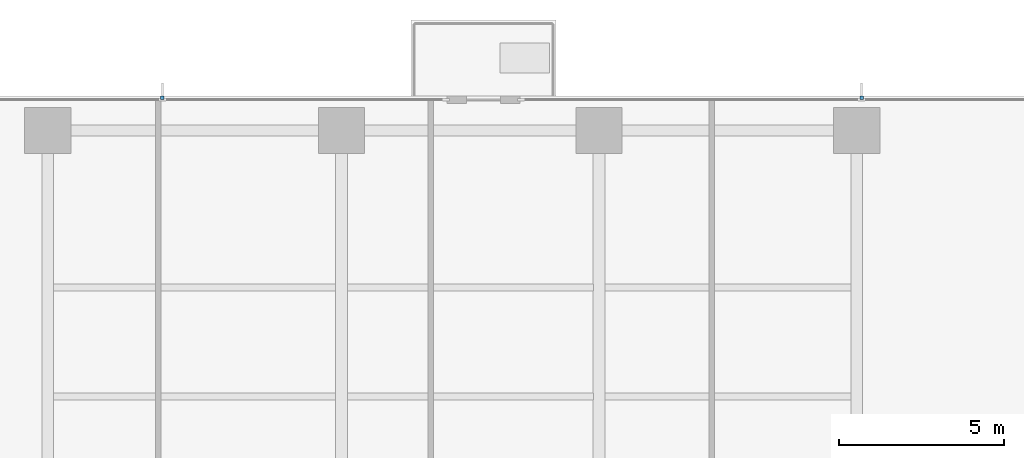
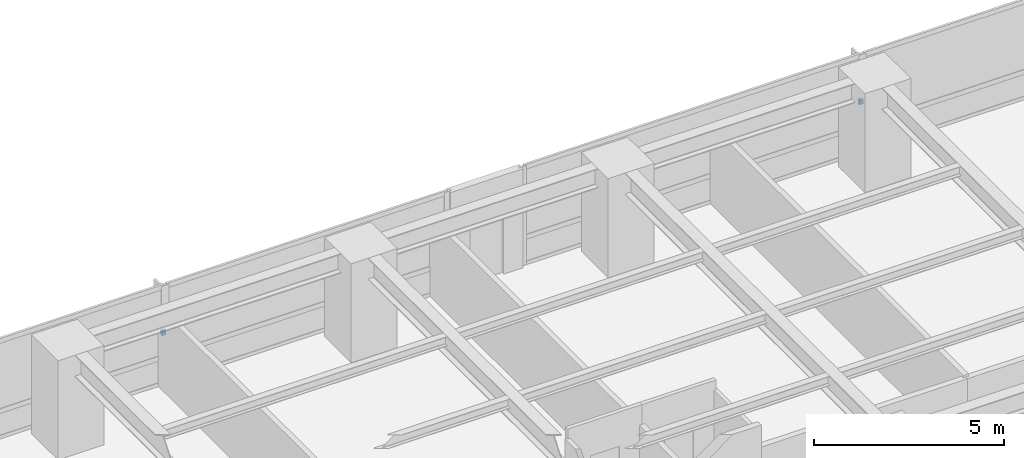
# One storey, part 14 of 16: 2 discrete accessories.
"""IFC4 building model written with IfcOpenShell, lengths in metres."""

import ifcopenshell
import ifcopenshell.guid

model = None  # the IFC model being written
_history = None  # IfcOwnerHistory: only IFC2X3 demands one
_inside = {}  # id of a spatial element -> (the spatial element, [elements in it])
_under = {}  # id of a project, library or spatial element -> (it, [spatial elements below it])
_declared = {}  # id of a project -> (the project, [libraries it declares])
_typed = {}  # id of a type object -> (the type object, [elements of that type])
_made_of = {}  # id of a material, layer set ... -> (it, [elements and type objects made of it])


def new_model(schema):
    """Start an empty IFC model of exactly this schema.

    Asked for "IFC4X3", IfcOpenShell would pick the latest addendum, in which some entities
    have other attributes; the version numbers below select the first issue.
    IFC2X3 requires an IfcOwnerHistory on every rooted entity: one is made here for all.
    """
    global model, _history
    if schema == "IFC4X3":
        model = ifcopenshell.file(schema_version=(4, 3, 0, 0))
    else:
        model = ifcopenshell.file(schema=schema)
    _inside.clear()
    _under.clear()
    _declared.clear()
    _typed.clear()
    _made_of.clear()
    _history = None
    if model.schema == "IFC2X3":
        org = make("IfcOrganization", Name="unknown")
        user = make(
            "IfcPersonAndOrganization",
            ThePerson=make("IfcPerson", FamilyName="unknown"),
            TheOrganization=org,
        )
        app = make(
            "IfcApplication",
            ApplicationDeveloper=org,
            Version="unknown",
            ApplicationFullName="unknown",
            ApplicationIdentifier="unknown",
        )
        _history = make(
            "IfcOwnerHistory",
            OwningUser=user,
            OwningApplication=app,
            ChangeAction="ADDED",
            CreationDate=0,
        )
    return model


def make(cls, **values):
    """One entity of the class cls with the attributes given. An attribute that is None is left unset."""
    return model.create_entity(
        cls, **{name: value for name, value in values.items() if value is not None}
    )


def rooted(cls, **values):
    """An entity with a GlobalId (a new one), such as an element, a storey or a relation."""
    return make(cls, GlobalId=ifcopenshell.guid.new(), OwnerHistory=_history, **values)


def si_unit(unit_type, name, prefix=None):
    """IfcSIUnit, for example si_unit("LENGTHUNIT", "METRE", prefix="MILLI")."""
    return make("IfcSIUnit", UnitType=unit_type, Prefix=prefix, Name=name)


def assignment(units):
    """IfcUnitAssignment: the units of a project."""
    return None if units is None else make("IfcUnitAssignment", Units=units)


def point(xyz):
    """IfcCartesianPoint."""
    return None if xyz is None else make("IfcCartesianPoint", Coordinates=xyz)


def direction(xyz):
    """IfcDirection."""
    return None if xyz is None else make("IfcDirection", DirectionRatios=xyz)


def frame(location, z_axis=None, x_axis=None):
    """IfcAxis2Placement3D, a coordinate frame: its origin and axes. An axis left out is left unset."""
    return make(
        "IfcAxis2Placement3D",
        Location=point(location),
        Axis=direction(z_axis),
        RefDirection=direction(x_axis),
    )


def origin():
    """The frame at (0, 0, 0) with its axes left unset."""
    return frame((0.0, 0.0, 0.0))


def place(relative_to, where):
    """IfcLocalPlacement: puts the frame where relative to a parent placement (None: the world)."""
    return make(
        "IfcLocalPlacement", PlacementRelTo=relative_to, RelativePlacement=where
    )


def context(
    kind, dimensions, precision=None, world=None, true_north=None, identifier=None
):
    """IfcGeometricRepresentationContext, for example the 3D "Model" context."""
    return make(
        "IfcGeometricRepresentationContext",
        ContextIdentifier=identifier,
        ContextType=kind,
        CoordinateSpaceDimension=dimensions,
        Precision=precision,
        WorldCoordinateSystem=world,
        TrueNorth=true_north,
    )


def subcontext(parent, identifier, kind, view, scale=None):
    """IfcGeometricRepresentationSubContext, for example "Body" below "Model"."""
    return make(
        "IfcGeometricRepresentationSubContext",
        ContextIdentifier=identifier,
        ContextType=kind,
        ParentContext=parent,
        TargetScale=scale,
        TargetView=view,
    )


def project(units=None, contexts=None):
    """IfcProject with its units and contexts."""
    return rooted(
        "IfcProject",
        Name="project",
        RepresentationContexts=contexts,
        UnitsInContext=assignment(units),
    )


def spatial(cls, under=None, at=None, **own):
    """A site, building, storey or space (cls), placed at a placement, below another one or the project."""
    s = rooted(cls, ObjectPlacement=at, **own)
    if under is not None:
        _under.setdefault(under.id(), (under, []))[1].append(s)
    return s


def polyline(points):
    """IfcPolyline through the points."""
    return make("IfcPolyline", Points=[point(p) for p in points])


def outline(outer, holes=None, kind="AREA"):
    """IfcArbitraryClosedProfileDef: a profile drawn as a closed curve; with holes, ...WithVoids."""
    if holes is None:
        return make("IfcArbitraryClosedProfileDef", ProfileType=kind, OuterCurve=outer)
    return make(
        "IfcArbitraryProfileDefWithVoids",
        ProfileType=kind,
        OuterCurve=outer,
        InnerCurves=holes,
    )


def extrude(swept, where, along, depth):
    """IfcExtrudedAreaSolid: the profile swept, set in the frame where, extruded along a direction by depth."""
    return make(
        "IfcExtrudedAreaSolid",
        SweptArea=swept,
        Position=where,
        ExtrudedDirection=direction(along),
        Depth=depth,
    )


def shape(context_of_items, identifier, shape_type, items):
    """IfcShapeRepresentation: the items that make up one representation, for example the "Body"."""
    return make(
        "IfcShapeRepresentation",
        ContextOfItems=context_of_items,
        RepresentationIdentifier=identifier,
        RepresentationType=shape_type,
        Items=items,
    )


def material(Name=None, Category=None):
    """IfcMaterial."""
    return make("IfcMaterial", Name=Name, Category=Category)


def made_of(thing, what):
    """Note that an element or type object is made of a material, layer set ...; save() writes the relation."""
    if what is not None:
        _made_of.setdefault(what.id(), (what, []))[1].append(thing)
    return thing


def type_object(cls, material=None, **own):
    """A type object (cls), such as IfcWallType, which elements share."""
    return made_of(rooted(cls, **own), material)


def element(
    cls,
    number,
    at=None,
    inside=None,
    cuts=None,
    type_object=None,
    material=None,
    context=None,
    identifier="Body",
    shape_type=None,
    held_by="IfcProductDefinitionShape",
    body=None,
    shapes=None,
    **own,
):
    """One element of the class cls, such as IfcWall. Its Tag is "e" and its number.

    at: its placement. inside: the storey or other place that contains it. cuts: it is an
    opening in that element (IfcRelVoidsElement). A single representation is given by context,
    identifier, shape_type and body (its items); several are given by shapes. held_by: the class
    of the entity that holds the representations. save() writes the other relations.
    """
    e = rooted(cls, Tag="e%d" % number, ObjectPlacement=at, **own)
    if body is not None:
        shapes = [shape(context, identifier, shape_type, body)]
    if shapes is not None:
        e.Representation = make(held_by, Representations=shapes)
    if inside is not None:
        _inside.setdefault(inside.id(), (inside, []))[1].append(e)
    if cuts is not None:
        rooted(
            "IfcRelVoidsElement", RelatingBuildingElement=cuts, RelatedOpeningElement=e
        )
    if type_object is not None:
        _typed.setdefault(type_object.id(), (type_object, []))[1].append(e)
    return made_of(e, material)


def aggregate(whole, parts):
    """IfcRelAggregates: a whole, such as a stair, and the parts it consists of."""
    return rooted("IfcRelAggregates", RelatingObject=whole, RelatedObjects=parts)


def save(model, path):
    """Write the relations noted so far, then the file.

    IfcRelAggregates (storeys below a building ...), IfcRelContainedInSpatialStructure (elements
    in a storey), IfcRelDefinesByType, IfcRelAssociatesMaterial and IfcRelDeclares: one each for
    every whole, place, type object, material and project.
    """
    for whole, parts in _under.values():
        aggregate(whole, parts)
    for where, things in _inside.values():
        rooted(
            "IfcRelContainedInSpatialStructure",
            RelatedElements=things,
            RelatingStructure=where,
        )
    for kind, things in _typed.values():
        rooted("IfcRelDefinesByType", RelatedObjects=things, RelatingType=kind)
    for what, things in _made_of.values():
        rooted("IfcRelAssociatesMaterial", RelatedObjects=things, RelatingMaterial=what)
    for by, libraries in _declared.values():
        rooted("IfcRelDeclares", RelatingContext=by, RelatedDefinitions=libraries)
    model.write(path)


model = new_model("IFC4")

# Units and contexts
model_context = context("Model", 3, precision=1e-05, world=origin(), true_north=direction((0.0, 1.0)))
body_context = subcontext(model_context, "Body", "Model", "MODEL_VIEW")
ifc_project = project(units=[si_unit("LENGTHUNIT", "METRE"), si_unit("AREAUNIT", "SQUARE_METRE"), si_unit("VOLUMEUNIT", "CUBIC_METRE"), si_unit("PLANEANGLEUNIT", "RADIAN"), si_unit("MASSUNIT", "GRAM", prefix="KILO")], contexts=[model_context])

# Site, building, storey
site_placement = place(None, origin())
site = spatial("IfcSite", under=ifc_project, at=site_placement, CompositionType="ELEMENT")
building_placement = place(site_placement, origin())
building = spatial("IfcBuilding", under=site, at=building_placement, Name="Qalmaran Belvedere Hotel", CompositionType="ELEMENT")
storey_placement = place(building_placement, frame((0.0, 0.0, 71.89990234375)))
storey = spatial("IfcBuildingStorey", under=building, at=storey_placement, Name="L18", CompositionType="ELEMENT", Elevation=71.89990234375)

# Discrete accessories
ifc_material = material(Name="Stainless Steel 1.4401", Category="steel")
discrete_accessory_type = type_object("IfcDiscreteAccessoryType", Name="BRK-FIN-SS316", PredefinedType="BRACKET", material=ifc_material)
discrete_accessory_1_placement = place(storey_placement, frame((0.0, 0.0, 1.5400390625)))
element("IfcDiscreteAccessory", 1, at=discrete_accessory_1_placement, inside=storey, type_object=discrete_accessory_type, Name="L18 Fin Bracket 1", PredefinedType="BRACKET", context=body_context, shape_type="SweptSolid", body=[
    extrude(outline(polyline([(23.830078125, 48.39501953125), (23.830078125, 48.492431640625), (23.719970703125, 48.492431640625), (23.719970703125, 48.39501953125), (23.830078125, 48.39501953125)])), origin(), (0.0, 0.0, 1.0), 0.14013671875),
])
discrete_accessory_2_placement = place(storey_placement, frame((0.0, 0.0, 1.5400390625)))
element("IfcDiscreteAccessory", 2, at=discrete_accessory_2_placement, inside=storey, type_object=discrete_accessory_type, Name="L18 Fin Bracket 1", PredefinedType="BRACKET", context=body_context, shape_type="SweptSolid", body=[
    extrude(outline(polyline([(45.0048828125, 48.39501953125), (45.0048828125, 48.492431640625), (44.89501953125, 48.492431640625), (44.89501953125, 48.39501953125), (45.0048828125, 48.39501953125)])), origin(), (0.0, 0.0, 1.0), 0.14013671875),
])

save(model, "model.ifc")
